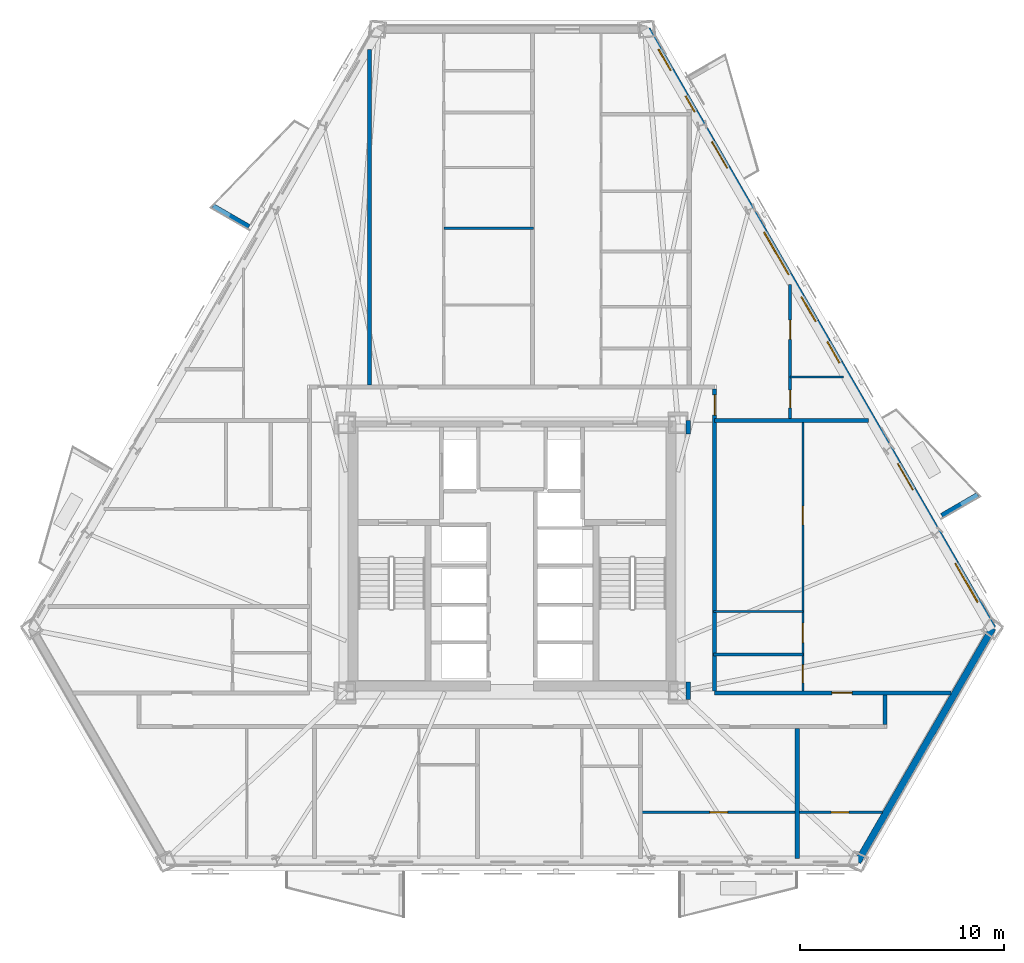
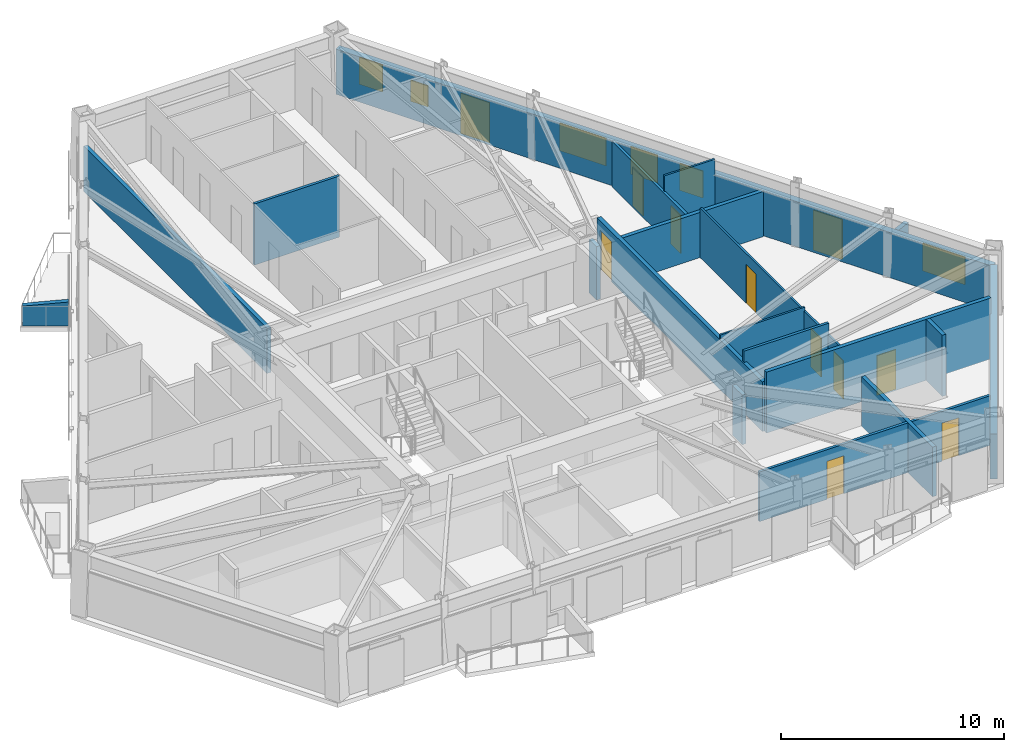
# One storey, part 5 of 10: 19 walls, 11 doors, 6 windows, 17 openings.
"""IFC4 building model written with IfcOpenShell, lengths in metres."""

from ifc_helpers import new_model, si_unit, direction, frame, frame_2d, origin, place, context, subcontext, project, spatial, polyline, rectangle, outline, extrude, material, layer, layer_set, type_object, element, fill, save


model = new_model("IFC4")

# Units and contexts
model_context = context("Model", 3, precision=1e-05, world=origin(), true_north=direction((0.0, 1.0)))
body_context = subcontext(model_context, "Body", "Model", "MODEL_VIEW")
ifc_project = project(units=[si_unit("LENGTHUNIT", "METRE"), si_unit("AREAUNIT", "SQUARE_METRE"), si_unit("VOLUMEUNIT", "CUBIC_METRE"), si_unit("PLANEANGLEUNIT", "RADIAN"), si_unit("MASSUNIT", "GRAM", prefix="KILO")], contexts=[model_context])

# Site, building, storey
site_placement = place(None, origin())
site = spatial("IfcSite", under=ifc_project, at=site_placement, CompositionType="ELEMENT")
building_placement = place(site_placement, origin())
building = spatial("IfcBuilding", under=site, at=building_placement, Name="Oramaril Tower", CompositionType="ELEMENT")
storey_placement = place(building_placement, frame((0.0, 0.0, 74.10009765625)))
storey = spatial("IfcBuildingStorey", under=building, at=storey_placement, Name="L19", CompositionType="ELEMENT", Elevation=74.10009765625)

# Wall
ifc_material_1 = material(Name="Warm Cream Limestone", Category="masonry")
ifc_layer_1 = layer(ifc_material_1, 0.340087890625)
ifc_layer_set_1 = layer_set([ifc_layer_1], Name="WT-EXT34")
wall_type_1 = type_object("IfcWallType", Name="WT-EXT34", PredefinedType="SOLIDWALL", material=ifc_layer_set_1)
wall_1_placement = place(storey_placement, frame((54.468994140625, 2.654296875, 0.0), z_axis=(0.0, 0.0, 1.0), x_axis=(0.499994178302, 0.866028764917, 0.0)))
element("IfcWall", 1, at=wall_1_placement, inside=storey, type_object=wall_type_1, Name="L19 Tower Limestone Facade Wall 3M", PredefinedType="SOLIDWALL", context=body_context, shape_type="SweptSolid", body=[
    extrude(rectangle(XDim=13.247802734375, YDim=0.340087890625, at=frame_2d((6.6240234375, 0.0))), origin(), (0.0, 0.0, 1.0), 2.473876953125),
])

# Wall, openings, doors, windows
wall_2_placement = place(storey_placement, frame((61.0927734375, 14.127197265625, 0.0), z_axis=(0.0, 0.0, 1.0), x_axis=(-0.500000596145, 0.8660250596, 0.0)))
wall_2 = element("IfcWall", 2, at=wall_2_placement, inside=storey, type_object=wall_type_1, Name="L19 Tower Limestone Facade Wall 4M", PredefinedType="SOLIDWALL", context=body_context, shape_type="SweptSolid", body=[
    extrude(rectangle(XDim=33.93798828125, YDim=0.340087890625, at=frame_2d((16.968994140625, 0.0))), origin(), (0.0, 0.0, 1.0), 2.473876953125),
])
opening_1_placement = place(wall_2_placement, frame((7.824462890625, 0.0, 0.0)))
opening_1 = element("IfcOpeningElement", 3, at=opening_1_placement, cuts=wall_2, Name="Opening D-L19-BAL-NE1", PredefinedType="OPENING", context=body_context, shape_type="SweptSolid", body=[
    extrude(rectangle(XDim=1.5, YDim=2.199951171875, at=frame_2d((0.75, 1.10009765625))), frame((0.0, 0.169921875, 0.0), z_axis=(0.0, -1.0, 0.0), x_axis=(1.0, 0.0, 0.0)), (0.0, 0.0, 1.0), 0.340087890625),
])
opening_2_placement = place(wall_2_placement, frame((26.068603515625, 0.0, 0.0)))
opening_2 = element("IfcOpeningElement", 4, at=opening_2_placement, cuts=wall_2, Name="Opening D-L19-BAL-NE2", PredefinedType="OPENING", context=body_context, shape_type="SweptSolid", body=[
    extrude(rectangle(XDim=1.5, YDim=2.199951171875, at=frame_2d((0.75, 1.10009765625))), frame((0.0, 0.169921875, 0.0), z_axis=(0.0, -1.0, 0.0), x_axis=(1.0, 0.0, 0.0)), (0.0, 0.0, 1.0), 0.340087890625),
])
opening_3_placement = place(wall_2_placement, frame((1.47021484375, 0.0, 0.85009765625)))
opening_3 = element("IfcOpeningElement", 5, at=opening_3_placement, cuts=wall_2, Name="Opening WN-04", PredefinedType="OPENING", context=body_context, shape_type="SweptSolid", body=[
    extrude(rectangle(XDim=2.199951171875, YDim=1.513916015625, at=frame_2d((1.10009765625, 0.7568359375))), frame((0.0, 0.169921875, 0.0), z_axis=(0.0, -1.0, 0.0), x_axis=(1.0, 0.0, 0.0)), (0.0, 0.0, 1.0), 0.340087890625),
])
opening_4_placement = place(wall_2_placement, frame((31.60791015625, 0.0, 0.85009765625)))
opening_4 = element("IfcOpeningElement", 6, at=opening_4_placement, cuts=wall_2, Name="Opening WN-09", PredefinedType="OPENING", context=body_context, shape_type="SweptSolid", body=[
    extrude(rectangle(XDim=1.199951171875, YDim=1.47412109375, at=frame_2d((0.60009765625, 0.737060546875))), frame((0.0, 0.169921875, 0.0), z_axis=(0.0, -1.0, 0.0), x_axis=(1.0, 0.0, 0.0)), (0.0, 0.0, 1.0), 0.340087890625),
])
opening_5_placement = place(wall_2_placement, frame((20.037841796875, 0.0, 0.85009765625)))
opening_5 = element("IfcOpeningElement", 7, at=opening_5_placement, cuts=wall_2, Name="Opening WN-03", PredefinedType="OPENING", context=body_context, shape_type="SweptSolid", body=[
    extrude(rectangle(XDim=2.39990234375, YDim=1.513916015625, at=frame_2d((1.199951171875, 0.7568359375))), frame((0.0, 0.169921875, 0.0), z_axis=(0.0, -1.0, 0.0), x_axis=(1.0, 0.0, 0.0)), (0.0, 0.0, 1.0), 0.340087890625),
])
opening_6_placement = place(wall_2_placement, frame((15.0341796875, 0.0, 0.85009765625)))
opening_6 = element("IfcOpeningElement", 8, at=opening_6_placement, cuts=wall_2, Name="Opening WN-09", PredefinedType="OPENING", context=body_context, shape_type="SweptSolid", body=[
    extrude(rectangle(XDim=1.199951171875, YDim=1.47412109375, at=frame_2d((0.60009765625, 0.737060546875))), frame((0.0, 0.169921875, 0.0), z_axis=(0.0, -1.0, 0.0), x_axis=(1.0, 0.0, 0.0)), (0.0, 0.0, 1.0), 0.340087890625),
])
opening_7_placement = place(wall_2_placement, frame((17.375244140625, 0.0, 0.85009765625)))
opening_7 = element("IfcOpeningElement", 9, at=opening_7_placement, cuts=wall_2, Name="Opening WN-08", PredefinedType="OPENING", context=body_context, shape_type="SweptSolid", body=[
    extrude(rectangle(XDim=1.39990234375, YDim=1.513916015625, at=frame_2d((0.699951171875, 0.7568359375))), frame((0.0, 0.169921875, 0.0), z_axis=(0.0, -1.0, 0.0), x_axis=(1.0, 0.0, 0.0)), (0.0, 0.0, 1.0), 0.340087890625),
])
opening_8_placement = place(wall_2_placement, frame((29.2548828125, 0.0, 0.85009765625)))
opening_8 = element("IfcOpeningElement", 10, at=opening_8_placement, cuts=wall_2, Name="Opening WN-12", PredefinedType="OPENING", context=body_context, shape_type="SweptSolid", body=[
    extrude(rectangle(XDim=0.89990234375, YDim=1.14990234375, at=frame_2d((0.449951171875, 0.574951171875))), frame((0.0, 0.169921875, 0.0), z_axis=(0.0, -1.0, 0.0), x_axis=(1.0, 0.0, 0.0)), (0.0, 0.0, 1.0), 0.340087890625),
])
ifc_material_2 = material(Name="Anodised Aluminium 6063-T6", Category="aluminium")
door_type_1 = type_object("IfcDoorType", Name="DT-BAL", OperationType="NOTDEFINED", PredefinedType="DOOR", material=ifc_material_2)
door_1_placement = place(opening_1_placement, origin())
door_1 = element("IfcDoor", 11, at=door_1_placement, inside=storey, type_object=door_type_1, Name="L19 Balcony Glazed Door L19-BAL-NE1", OperationType="SINGLE_SWING_RIGHT", OverallHeight=2.199951171875, OverallWidth=1.5, PredefinedType="DOOR", context=body_context, shape_type="SweptSolid", body=[
    extrude(rectangle(XDim=1.5, YDim=2.199951171875, at=frame_2d((0.75, 1.10009765625))), frame((0.0, 0.02490234375, 0.0), z_axis=(0.0, -1.0, 0.0), x_axis=(1.0, 0.0, 0.0)), (0.0, 0.0, 1.0), 0.050048828125),
])
fill(opening_1, door_1)
door_2_placement = place(opening_2_placement, origin())
door_2 = element("IfcDoor", 12, at=door_2_placement, inside=storey, type_object=door_type_1, Name="L19 Balcony Glazed Door L19-BAL-NE2", OperationType="SINGLE_SWING_LEFT", OverallHeight=2.199951171875, OverallWidth=1.5, PredefinedType="DOOR", context=body_context, shape_type="SweptSolid", body=[
    extrude(rectangle(XDim=1.5, YDim=2.199951171875, at=frame_2d((0.75, 1.10009765625))), frame((0.0, 0.02490234375, 0.0), z_axis=(0.0, -1.0, 0.0), x_axis=(1.0, 0.0, 0.0)), (0.0, 0.0, 1.0), 0.050048828125),
])
fill(opening_2, door_2)
ifc_material_3 = material(Name="Coastal Low-E Insulated Glass", Category="glass")
window_type_1 = type_object("IfcWindowType", Name="WNT-03", PartitioningType="SINGLE_PANEL", PredefinedType="WINDOW", material=ifc_material_3)
window_1_placement = place(opening_5_placement, origin())
window_1 = element("IfcWindow", 13, at=window_1_placement, inside=storey, type_object=window_type_1, Name="L19 Chicago Bay Window WN-03", OverallHeight=1.513916015625, OverallWidth=2.39990234375, PartitioningType="SINGLE_PANEL", PredefinedType="WINDOW", context=body_context, shape_type="SweptSolid", body=[
    extrude(rectangle(XDim=2.39990234375, YDim=1.513916015625, at=frame_2d((1.199951171875, 0.7568359375))), frame((0.0, 0.030029296875, 0.0), z_axis=(0.0, -1.0, 0.0), x_axis=(1.0, 0.0, 0.0)), (0.0, 0.0, 1.0), 0.06005859375),
])
fill(opening_5, window_1)
ifc_material_4 = material(Name="Coastal Low-E Insulated Glass", Category="glass")
window_type_2 = type_object("IfcWindowType", Name="WNT-04", PartitioningType="SINGLE_PANEL", PredefinedType="WINDOW", material=ifc_material_4)
window_2_placement = place(opening_3_placement, origin())
window_2 = element("IfcWindow", 14, at=window_2_placement, inside=storey, type_object=window_type_2, Name="L19 Chicago Bay Window WN-04", OverallHeight=1.513916015625, OverallWidth=2.199951171875, PartitioningType="SINGLE_PANEL", PredefinedType="WINDOW", context=body_context, shape_type="SweptSolid", body=[
    extrude(rectangle(XDim=2.199951171875, YDim=1.513916015625, at=frame_2d((1.10009765625, 0.7568359375))), frame((0.0, 0.030029296875, 0.0), z_axis=(0.0, -1.0, 0.0), x_axis=(1.0, 0.0, 0.0)), (0.0, 0.0, 1.0), 0.06005859375),
])
fill(opening_3, window_2)
ifc_material_5 = material(Name="Coastal Low-E Insulated Glass", Category="glass")
window_type_3 = type_object("IfcWindowType", Name="WNT-08", PartitioningType="SINGLE_PANEL", PredefinedType="WINDOW", material=ifc_material_5)
window_3_placement = place(opening_7_placement, origin())
window_3 = element("IfcWindow", 15, at=window_3_placement, inside=storey, type_object=window_type_3, Name="L19 Chicago Bay Window WN-08", OverallHeight=1.513916015625, OverallWidth=1.39990234375, PartitioningType="SINGLE_PANEL", PredefinedType="WINDOW", context=body_context, shape_type="SweptSolid", body=[
    extrude(rectangle(XDim=1.39990234375, YDim=1.513916015625, at=frame_2d((0.699951171875, 0.7568359375))), frame((0.0, 0.030029296875, 0.0), z_axis=(0.0, -1.0, 0.0), x_axis=(1.0, 0.0, 0.0)), (0.0, 0.0, 1.0), 0.06005859375),
])
fill(opening_7, window_3)
ifc_material_6 = material(Name="Coastal Low-E Insulated Glass", Category="glass")
window_type_4 = type_object("IfcWindowType", Name="WNT-09", PartitioningType="SINGLE_PANEL", PredefinedType="WINDOW", material=ifc_material_6)
window_4_placement = place(opening_4_placement, origin())
window_4 = element("IfcWindow", 16, at=window_4_placement, inside=storey, type_object=window_type_4, Name="L19 Chicago Bay Window WN-09", OverallHeight=1.47412109375, OverallWidth=1.199951171875, PartitioningType="SINGLE_PANEL", PredefinedType="WINDOW", context=body_context, shape_type="SweptSolid", body=[
    extrude(rectangle(XDim=1.199951171875, YDim=1.47412109375, at=frame_2d((0.60009765625, 0.737060546875))), frame((0.0, 0.030029296875, 0.0), z_axis=(0.0, -1.0, 0.0), x_axis=(1.0, 0.0, 0.0)), (0.0, 0.0, 1.0), 0.06005859375),
])
fill(opening_4, window_4)
window_5_placement = place(opening_6_placement, origin())
window_5 = element("IfcWindow", 17, at=window_5_placement, inside=storey, type_object=window_type_4, Name="L19 Chicago Bay Window WN-09", OverallHeight=1.47412109375, OverallWidth=1.199951171875, PartitioningType="SINGLE_PANEL", PredefinedType="WINDOW", context=body_context, shape_type="SweptSolid", body=[
    extrude(rectangle(XDim=1.199951171875, YDim=1.47412109375, at=frame_2d((0.60009765625, 0.737060546875))), frame((0.0, 0.030029296875, 0.0), z_axis=(0.0, -1.0, 0.0), x_axis=(1.0, 0.0, 0.0)), (0.0, 0.0, 1.0), 0.06005859375),
])
fill(opening_6, window_5)
ifc_material_7 = material(Name="Coastal Low-E Insulated Glass", Category="glass")
window_type_5 = type_object("IfcWindowType", Name="WNT-12", PartitioningType="SINGLE_PANEL", PredefinedType="WINDOW", material=ifc_material_7)
window_6_placement = place(opening_8_placement, origin())
window_6 = element("IfcWindow", 18, at=window_6_placement, inside=storey, type_object=window_type_5, Name="L19 Apartment Bedroom Window WN-12", OverallHeight=1.14990234375, OverallWidth=0.89990234375, PartitioningType="SINGLE_PANEL", PredefinedType="WINDOW", context=body_context, shape_type="SweptSolid", body=[
    extrude(rectangle(XDim=0.89990234375, YDim=1.14990234375, at=frame_2d((0.449951171875, 0.574951171875))), frame((0.0, 0.030029296875, 0.0), z_axis=(0.0, -1.0, 0.0), x_axis=(1.0, 0.0, 0.0)), (0.0, 0.0, 1.0), 0.06005859375),
])
fill(opening_8, window_6)

# Walls
ifc_material_8 = material(Name="Concrete C40/50", Category="concrete")
ifc_layer_2 = layer(ifc_material_8, 0.22998046875)
ifc_layer_set_2 = layer_set([ifc_layer_2], Name="WT-PRP23")
wall_type_2 = type_object("IfcWallType", Name="WT-PRP23", PredefinedType="PARAPET", material=ifc_layer_set_2)
for number, where, z_axis, x_axis, name in (
    (19, (58.591064453125, 19.656494140625, 0.0), (0.0, 0.0, 1.0), (0.866012356593, 0.500022597718, 0.0), "L19 Trapezoidal Balcony Frame Cheek L19-BAL-NE1-L"),
    (20, (24.593505859375, 33.83251953125, 0.0), (0.0, 0.0, 1.0), (-0.866012356593, 0.500022597718, 0.0), "L19 Trapezoidal Balcony Frame Cheek L19-BAL-NW1-R"),
):
    element("IfcWall", number, at=place(storey_placement, frame(where, z_axis=z_axis, x_axis=x_axis)), inside=storey, type_object=wall_type_2, Name=name, PredefinedType="PARAPET", context=body_context, shape_type="SweptSolid", body=[
        extrude(outline(polyline([(0.0, 0.0), (2.0419921875, 0.0), (2.0419921875, 1.099853515625), (0.0, 1.31982421875), (0.0, 0.0)])), frame((0.0, 0.114990234375, 0.0), z_axis=(0.0, -1.0, 0.0), x_axis=(1.0, 0.0, 0.0)), (0.0, 0.0, 1.0), 0.22998046875),
    ])
ifc_material_9 = material(Name="Acoustic Gypsum Board Partition")
ifc_layer_3 = layer(ifc_material_9, 0.10009765625)
ifc_layer_set_3 = layer_set([ifc_layer_3], Name="WT-PT10")
wall_type_3 = type_object("IfcWallType", Name="WT-PT10", PredefinedType="PARTITIONING", material=ifc_layer_set_3)
wall_3_placement = place(storey_placement, frame((47.39990234375, 14.949951171875, 0.0), z_axis=(0.0, 0.0, 1.0), x_axis=(1.0, 0.0, 0.0)))
element("IfcWall", 21, at=wall_3_placement, inside=storey, type_object=wall_type_3, Name="L19 Interior Partition PT-10", PredefinedType="PARTITIONING", context=body_context, shape_type="SweptSolid", body=[
    extrude(rectangle(XDim=4.380126953125, YDim=0.10009765625, at=frame_2d((2.18994140625, 0.0))), origin(), (0.0, 0.0, 1.0), 2.92578125),
])
wall_4_placement = place(storey_placement, frame((51.1474609375, 26.4599609375, 0.0), z_axis=(0.0, 0.0, 1.0), x_axis=(1.0, 0.0, 0.0)))
element("IfcWall", 22, at=wall_4_placement, inside=storey, type_object=wall_type_3, Name="L19 Interior Partition PT-10", PredefinedType="PARTITIONING", context=body_context, shape_type="SweptSolid", body=[
    extrude(rectangle(XDim=2.6240234375, YDim=0.10009765625, at=frame_2d((1.31201171875, 0.0))), origin(), (0.0, 0.0, 1.0), 3.33984375),
])

# Wall, openings, doors
wall_5_placement = place(storey_placement, frame((51.780029296875, 11.053955078125, 0.0), z_axis=(0.0, 0.0, 1.0), x_axis=(0.0, 1.0, 0.0)))
wall_5 = element("IfcWall", 23, at=wall_5_placement, inside=storey, type_object=wall_type_3, Name="L19 Interior Partition PT-10", PredefinedType="PARTITIONING", context=body_context, shape_type="SweptSolid", body=[
    extrude(rectangle(XDim=13.162109375, YDim=0.10009765625, at=frame_2d((6.5810546875, 0.0))), origin(), (0.0, 0.0, 1.0), 2.718017578125),
])
opening_9_placement = place(wall_5_placement, frame((0.385986328125, 0.0, 0.0)))
opening_9 = element("IfcOpeningElement", 24, at=opening_9_placement, cuts=wall_5, Name="Opening D-L19-41", PredefinedType="OPENING", context=body_context, shape_type="SweptSolid", body=[
    extrude(rectangle(XDim=0.8798828125, YDim=2.080078125, at=frame_2d((0.43994140625, 1.0400390625))), frame((0.0, 0.050048828125, 0.0), z_axis=(0.0, -1.0, 0.0), x_axis=(1.0, 0.0, 0.0)), (0.0, 0.0, 1.0), 0.10009765625),
])
opening_10_placement = place(wall_5_placement, frame((2.36767578125, 0.0, 0.0)))
opening_10 = element("IfcOpeningElement", 25, at=opening_10_placement, cuts=wall_5, Name="Opening D-L19-42", PredefinedType="OPENING", context=body_context, shape_type="SweptSolid", body=[
    extrude(rectangle(XDim=0.949951171875, YDim=2.10009765625, at=frame_2d((0.47509765625, 1.050048828125))), frame((0.0, 0.050048828125, 0.0), z_axis=(0.0, -1.0, 0.0), x_axis=(1.0, 0.0, 0.0)), (0.0, 0.0, 1.0), 0.10009765625),
])
opening_11_placement = place(wall_5_placement, frame((8.1376953125, 0.0, 0.0)))
opening_11 = element("IfcOpeningElement", 26, at=opening_11_placement, cuts=wall_5, Name="Opening D-L19-43", PredefinedType="OPENING", context=body_context, shape_type="SweptSolid", body=[
    extrude(rectangle(XDim=0.919921875, YDim=2.1201171875, at=frame_2d((0.4599609375, 1.06005859375))), frame((0.0, 0.050048828125, 0.0), z_axis=(0.0, -1.0, 0.0), x_axis=(1.0, 0.0, 0.0)), (0.0, 0.0, 1.0), 0.10009765625),
])
ifc_material_10 = material(Name="FSC Brazilian Freijo Hardwood", Category="wood")
door_type_2 = type_object("IfcDoorType", Name="DT-BATH", OperationType="NOTDEFINED", PredefinedType="DOOR", material=ifc_material_10)
door_3_placement = place(opening_9_placement, origin())
door_3 = element("IfcDoor", 27, at=door_3_placement, inside=storey, type_object=door_type_2, Name="L19 Flat L19-U8 Bathroom Door D-L19-41", OperationType="SINGLE_SWING_LEFT", OverallHeight=2.080078125, OverallWidth=0.8798828125, PredefinedType="DOOR", context=body_context, shape_type="SweptSolid", body=[
    extrude(rectangle(XDim=0.8798828125, YDim=2.080078125, at=frame_2d((0.43994140625, 1.0400390625))), frame((0.0, 0.02490234375, 0.0), z_axis=(0.0, -1.0, 0.0), x_axis=(1.0, 0.0, 0.0)), (0.0, 0.0, 1.0), 0.050048828125),
])
fill(opening_9, door_3)
ifc_material_11 = material(Name="FSC Brazilian Freijo Hardwood", Category="wood")
door_type_3 = type_object("IfcDoorType", Name="DT-BED", OperationType="NOTDEFINED", PredefinedType="DOOR", material=ifc_material_11)
door_4_placement = place(opening_11_placement, origin())
door_4 = element("IfcDoor", 28, at=door_4_placement, inside=storey, type_object=door_type_3, Name="L19 Flat L19-U8 Master Bedroom Door D-L19-43", OperationType="SINGLE_SWING_LEFT", OverallHeight=2.1201171875, OverallWidth=0.919921875, PredefinedType="DOOR", context=body_context, shape_type="SweptSolid", body=[
    extrude(rectangle(XDim=0.919921875, YDim=2.1201171875, at=frame_2d((0.4599609375, 1.06005859375))), frame((0.0, 0.02490234375, 0.0), z_axis=(0.0, -1.0, 0.0), x_axis=(1.0, 0.0, 0.0)), (0.0, 0.0, 1.0), 0.050048828125),
])
fill(opening_11, door_4)
ifc_material_12 = material(Name="FSC Brazilian Freijo Hardwood", Category="wood")
door_type_4 = type_object("IfcDoorType", Name="DT-STDY", OperationType="NOTDEFINED", PredefinedType="DOOR", material=ifc_material_12)
door_5_placement = place(opening_10_placement, origin())
door_5 = element("IfcDoor", 29, at=door_5_placement, inside=storey, type_object=door_type_4, Name="L19 Flat L19-U8 Kitchen Door D-L19-42", OperationType="SINGLE_SWING_RIGHT", OverallHeight=2.10009765625, OverallWidth=0.949951171875, PredefinedType="DOOR", context=body_context, shape_type="SweptSolid", body=[
    extrude(rectangle(XDim=0.949951171875, YDim=2.10009765625, at=frame_2d((0.47509765625, 1.050048828125))), frame((0.0, 0.02490234375, 0.0), z_axis=(0.0, -1.0, 0.0), x_axis=(1.0, 0.0, 0.0)), (0.0, 0.0, 1.0), 0.050048828125),
])
fill(opening_10, door_5)

ifc_material_13 = material(Name="Acoustic Gypsum Board Partition")
ifc_layer_4 = layer(ifc_material_13, 0.139892578125)
ifc_layer_set_4 = layer_set([ifc_layer_4], Name="WT-PT14")
wall_type_4 = type_object("IfcWallType", Name="WT-PT14", PredefinedType="PARTITIONING", material=ifc_layer_set_4)
wall_6_placement = place(storey_placement, frame((43.718017578125, 5.090087890625, 0.0), z_axis=(0.0, 0.0, 1.0), x_axis=(1.0, 0.0, 0.0)))
wall_6 = element("IfcWall", 30, at=wall_6_placement, inside=storey, type_object=wall_type_4, Name="L19 Interior Partition PT-14", PredefinedType="PARTITIONING", context=body_context, shape_type="SweptSolid", body=[
    extrude(rectangle(XDim=11.956298828125, YDim=0.139892578125, at=frame_2d((5.97802734375, 0.0))), origin(), (0.0, 0.0, 1.0), 2.718017578125),
])
opening_12_placement = place(wall_6_placement, frame((3.491943359375, 0.0, 0.0)))
opening_12 = element("IfcOpeningElement", 31, at=opening_12_placement, cuts=wall_6, Name="Opening D-L19-01", PredefinedType="OPENING", context=body_context, shape_type="SweptSolid", body=[
    extrude(rectangle(XDim=0.8798828125, YDim=2.080078125, at=frame_2d((0.43994140625, 1.0400390625))), frame((0.0, 0.06982421875, 0.0), z_axis=(0.0, -1.0, 0.0), x_axis=(1.0, 0.0, 0.0)), (0.0, 0.0, 1.0), 0.139892578125),
])
opening_13_placement = place(wall_6_placement, frame((9.4423828125, 0.0, 0.0)))
opening_13 = element("IfcOpeningElement", 32, at=opening_13_placement, cuts=wall_6, Name="Opening D-L19-02", PredefinedType="OPENING", context=body_context, shape_type="SweptSolid", body=[
    extrude(rectangle(XDim=0.8798828125, YDim=2.080078125, at=frame_2d((0.43994140625, 1.0400390625))), frame((0.0, 0.06982421875, 0.0), z_axis=(0.0, -1.0, 0.0), x_axis=(1.0, 0.0, 0.0)), (0.0, 0.0, 1.0), 0.139892578125),
])
door_6_placement = place(opening_12_placement, origin())
door_6 = element("IfcDoor", 33, at=door_6_placement, inside=storey, type_object=door_type_2, Name="L19 Flat L19-U4 Bathroom Door D-L19-01", OperationType="SINGLE_SWING_LEFT", OverallHeight=2.080078125, OverallWidth=0.8798828125, PredefinedType="DOOR", context=body_context, shape_type="SweptSolid", body=[
    extrude(rectangle(XDim=0.8798828125, YDim=2.080078125, at=frame_2d((0.43994140625, 1.0400390625))), frame((0.0, 0.02490234375, 0.0), z_axis=(0.0, -1.0, 0.0), x_axis=(1.0, 0.0, 0.0)), (0.0, 0.0, 1.0), 0.050048828125),
])
fill(opening_12, door_6)
door_7_placement = place(opening_13_placement, origin())
door_7 = element("IfcDoor", 34, at=door_7_placement, inside=storey, type_object=door_type_2, Name="L19 Flat L19-U5 Bathroom Door D-L19-02", OperationType="SINGLE_SWING_RIGHT", OverallHeight=2.080078125, OverallWidth=0.8798828125, PredefinedType="DOOR", context=body_context, shape_type="SweptSolid", body=[
    extrude(rectangle(XDim=0.8798828125, YDim=2.080078125, at=frame_2d((0.43994140625, 1.0400390625))), frame((0.0, 0.02490234375, 0.0), z_axis=(0.0, -1.0, 0.0), x_axis=(1.0, 0.0, 0.0)), (0.0, 0.0, 1.0), 0.050048828125),
])
fill(opening_13, door_7)

# Walls
wall_7_placement = place(storey_placement, frame((47.39990234375, 12.840087890625, 0.0), z_axis=(0.0, 0.0, 1.0), x_axis=(1.0, 0.0, 0.0)))
element("IfcWall", 35, at=wall_7_placement, inside=storey, type_object=wall_type_4, Name="L19 Interior Partition PT-14", PredefinedType="PARTITIONING", context=body_context, shape_type="SweptSolid", body=[
    extrude(rectangle(XDim=4.380126953125, YDim=0.139892578125, at=frame_2d((2.18994140625, 0.0))), origin(), (0.0, 0.0, 1.0), 3.33984375),
])
wall_8_placement = place(storey_placement, frame((34.14990234375, 33.760009765625, 0.0), z_axis=(0.0, 0.0, 1.0), x_axis=(1.0, 0.0, 0.0)))
element("IfcWall", 36, at=wall_8_placement, inside=storey, type_object=wall_type_4, Name="L19 Interior Partition PT-14", PredefinedType="PARTITIONING", context=body_context, shape_type="SweptSolid", body=[
    extrude(rectangle(XDim=4.400146484375, YDim=0.139892578125, at=frame_2d((2.2001953125, 0.0))), origin(), (0.0, 0.0, 1.0), 3.33984375),
])

# Wall, openings, doors
wall_9_placement = place(storey_placement, frame((51.14990234375, 24.424072265625, 0.0), z_axis=(0.0, 0.0, 1.0), x_axis=(0.0, 1.0, 0.0)))
wall_9 = element("IfcWall", 37, at=wall_9_placement, inside=storey, type_object=wall_type_4, Name="L19 Interior Partition PT-14", PredefinedType="PARTITIONING", context=body_context, shape_type="SweptSolid", body=[
    extrude(rectangle(XDim=6.57666015625, YDim=0.139892578125, at=frame_2d((3.288330078125, 0.0))), origin(), (0.0, 0.0, 1.0), 2.473876953125),
])
opening_14_placement = place(wall_9_placement, frame((0.510986328125, 0.0, 0.0)))
opening_14 = element("IfcOpeningElement", 38, at=opening_14_placement, cuts=wall_9, Name="Opening D-L19-39", PredefinedType="OPENING", context=body_context, shape_type="SweptSolid", body=[
    extrude(rectangle(XDim=0.8798828125, YDim=2.080078125, at=frame_2d((0.43994140625, 1.0400390625))), frame((0.0, 0.06982421875, 0.0), z_axis=(0.0, -1.0, 0.0), x_axis=(1.0, 0.0, 0.0)), (0.0, 0.0, 1.0), 0.139892578125),
])
opening_15_placement = place(wall_9_placement, frame((3.87255859375, 0.0, 0.0)))
opening_15 = element("IfcOpeningElement", 39, at=opening_15_placement, cuts=wall_9, Name="Opening D-L19-40", PredefinedType="OPENING", context=body_context, shape_type="SweptSolid", body=[
    extrude(rectangle(XDim=0.949951171875, YDim=2.10009765625, at=frame_2d((0.47509765625, 1.050048828125))), frame((0.0, 0.06982421875, 0.0), z_axis=(0.0, -1.0, 0.0), x_axis=(1.0, 0.0, 0.0)), (0.0, 0.0, 1.0), 0.139892578125),
])
door_8_placement = place(opening_14_placement, origin())
door_8 = element("IfcDoor", 40, at=door_8_placement, inside=storey, type_object=door_type_2, Name="L19 Flat L19-U12 Bathroom Door D-L19-39", OperationType="SINGLE_SWING_LEFT", OverallHeight=2.080078125, OverallWidth=0.8798828125, PredefinedType="DOOR", context=body_context, shape_type="SweptSolid", body=[
    extrude(rectangle(XDim=0.8798828125, YDim=2.080078125, at=frame_2d((0.43994140625, 1.0400390625))), frame((0.0, 0.02490234375, 0.0), z_axis=(0.0, -1.0, 0.0), x_axis=(1.0, 0.0, 0.0)), (0.0, 0.0, 1.0), 0.050048828125),
])
fill(opening_14, door_8)
door_9_placement = place(opening_15_placement, origin())
door_9 = element("IfcDoor", 41, at=door_9_placement, inside=storey, type_object=door_type_4, Name="L19 Flat L19-U12 Kitchen Door D-L19-40", OperationType="SINGLE_SWING_RIGHT", OverallHeight=2.10009765625, OverallWidth=0.949951171875, PredefinedType="DOOR", context=body_context, shape_type="SweptSolid", body=[
    extrude(rectangle(XDim=0.949951171875, YDim=2.10009765625, at=frame_2d((0.47509765625, 1.050048828125))), frame((0.0, 0.02490234375, 0.0), z_axis=(0.0, -1.0, 0.0), x_axis=(1.0, 0.0, 0.0)), (0.0, 0.0, 1.0), 0.050048828125),
])
fill(opening_15, door_9)

# Wall, opening, door
ifc_material_14 = material(Name="Autoclaved Cellular Concrete Block", Category="concrete")
ifc_layer_5 = layer(ifc_material_14, 0.199951171875)
ifc_layer_set_5 = layer_set([ifc_layer_5], Name="WT-PT20")
wall_type_5 = type_object("IfcWallType", Name="WT-PT20", PredefinedType="PARTITIONING", material=ifc_layer_set_5)
wall_10_placement = place(storey_placement, frame((47.449951171875, 10.949951171875, 0.0), z_axis=(0.0, 0.0, 1.0), x_axis=(1.0, 0.0, 0.0)))
wall_10 = element("IfcWall", 42, at=wall_10_placement, inside=storey, type_object=wall_type_5, Name="L19 Interior Partition PT-20", PredefinedType="PARTITIONING", context=body_context, shape_type="SweptSolid", body=[
    extrude(rectangle(XDim=11.607666015625, YDim=0.199951171875, at=frame_2d((5.8037109375, 0.0))), origin(), (0.0, 0.0, 1.0), 3.33984375),
])
opening_16_placement = place(wall_10_placement, frame((5.745849609375, 0.0, 0.0)))
opening_16 = element("IfcOpeningElement", 43, at=opening_16_placement, cuts=wall_10, Name="Opening D-L19-09", PredefinedType="OPENING", context=body_context, shape_type="SweptSolid", body=[
    extrude(rectangle(XDim=1.0, YDim=2.179931640625, at=frame_2d((0.5, 1.08984375))), frame((0.0, 0.10009765625, 0.0), z_axis=(0.0, -1.0, 0.0), x_axis=(1.0, 0.0, 0.0)), (0.0, 0.0, 1.0), 0.199951171875),
])
ifc_material_15 = material(Name="FSC Brazilian Freijo Hardwood", Category="wood")
door_type_5 = type_object("IfcDoorType", Name="DT-APT", OperationType="NOTDEFINED", PredefinedType="DOOR", material=ifc_material_15)
door_10_placement = place(opening_16_placement, origin())
door_10 = element("IfcDoor", 44, at=door_10_placement, inside=storey, type_object=door_type_5, Name="L19 Flat L19-U8 Penthouse Living and Dining Room Door D-L19-09", OperationType="SINGLE_SWING_LEFT", OverallHeight=2.179931640625, OverallWidth=1.0, PredefinedType="DOOR", context=body_context, shape_type="SweptSolid", body=[
    extrude(rectangle(XDim=1.0, YDim=2.179931640625, at=frame_2d((0.5, 1.08984375))), frame((0.0, 0.02490234375, 0.0), z_axis=(0.0, -1.0, 0.0), x_axis=(1.0, 0.0, 0.0)), (0.0, 0.0, 1.0), 0.050048828125),
])
fill(opening_16, door_10)

# Walls
wall_11_placement = place(storey_placement, frame((47.449951171875, 24.320068359375, 0.0), z_axis=(0.0, 0.0, 1.0), x_axis=(1.0, 0.0, 0.0)))
element("IfcWall", 45, at=wall_11_placement, inside=storey, type_object=wall_type_5, Name="L19 Interior Partition PT-20", PredefinedType="PARTITIONING", context=body_context, shape_type="SweptSolid", body=[
    extrude(rectangle(XDim=7.55712890625, YDim=0.199951171875, at=frame_2d((3.778564453125, 0.0))), origin(), (0.0, 0.0, 1.0), 2.473876953125),
])
wall_12_placement = place(storey_placement, frame((30.5, 26.073974609375, 0.0), z_axis=(0.0, 0.0, 1.0), x_axis=(0.0, 1.0, 0.0)))
element("IfcWall", 46, at=wall_12_placement, inside=storey, type_object=wall_type_5, Name="L19 Interior Partition PT-20", PredefinedType="PARTITIONING", context=body_context, shape_type="SweptSolid", body=[
    extrude(rectangle(XDim=16.44482421875, YDim=0.199951171875, at=frame_2d((8.222412109375, 0.0))), origin(), (0.0, 0.0, 1.0), 2.473876953125),
])
wall_13_placement = place(storey_placement, frame((46.14990234375, 10.614013671875, 0.0), z_axis=(0.0, 0.0, 1.0), x_axis=(0.0, 1.0, 0.0)))
element("IfcWall", 47, at=wall_13_placement, inside=storey, type_object=wall_type_5, Name="L19 Interior Partition PT-20", PredefinedType="PARTITIONING", context=body_context, shape_type="SweptSolid", body=[
    extrude(rectangle(XDim=0.881103515625, YDim=0.199951171875, at=frame_2d((0.4404296875, 0.0))), origin(), (0.0, 0.0, 1.0), 2.718017578125),
])
wall_14_placement = place(storey_placement, frame((46.14990234375, 23.655029296875, 0.0), z_axis=(0.0, 0.0, 1.0), x_axis=(0.0, 1.0, 0.0)))
element("IfcWall", 48, at=wall_14_placement, inside=storey, type_object=wall_type_5, Name="L19 Interior Partition PT-20", PredefinedType="PARTITIONING", context=body_context, shape_type="SweptSolid", body=[
    extrude(rectangle(XDim=0.6650390625, YDim=0.199951171875, at=frame_2d((0.33251953125, 0.0))), origin(), (0.0, 0.0, 1.0), 2.92578125),
])

# Wall, opening, door
wall_15_placement = place(storey_placement, frame((47.449951171875, 11.053955078125, 0.0), z_axis=(0.0, 0.0, 1.0), x_axis=(0.0, 1.0, 0.0)))
wall_15 = element("IfcWall", 49, at=wall_15_placement, inside=storey, type_object=wall_type_5, Name="L19 Interior Partition PT-20", PredefinedType="PARTITIONING", context=body_context, shape_type="SweptSolid", body=[
    extrude(rectangle(XDim=14.81201171875, YDim=0.199951171875, at=frame_2d((7.406005859375, 0.0))), origin(), (0.0, 0.0, 1.0), 2.718017578125),
])
opening_17_placement = place(wall_15_placement, frame((13.529296875, 0.0, 0.0)))
opening_17 = element("IfcOpeningElement", 50, at=opening_17_placement, cuts=wall_15, Name="Opening D-L19-38", PredefinedType="OPENING", context=body_context, shape_type="SweptSolid", body=[
    extrude(rectangle(XDim=1.0, YDim=2.179931640625, at=frame_2d((0.5, 1.08984375))), frame((0.0, 0.10009765625, 0.0), z_axis=(0.0, -1.0, 0.0), x_axis=(1.0, 0.0, 0.0)), (0.0, 0.0, 1.0), 0.199951171875),
])
door_11_placement = place(opening_17_placement, origin())
door_11 = element("IfcDoor", 51, at=door_11_placement, inside=storey, type_object=door_type_5, Name="L19 Flat L19-U12 Studio Apartment Door D-L19-38", OperationType="SINGLE_SWING_RIGHT", OverallHeight=2.179931640625, OverallWidth=1.0, PredefinedType="DOOR", context=body_context, shape_type="SweptSolid", body=[
    extrude(rectangle(XDim=1.0, YDim=2.179931640625, at=frame_2d((0.5, 1.08984375))), frame((0.0, 0.02490234375, 0.0), z_axis=(0.0, -1.0, 0.0), x_axis=(1.0, 0.0, 0.0)), (0.0, 0.0, 1.0), 0.050048828125),
])
fill(opening_17, door_11)

# Walls
wall_16_placement = place(storey_placement, frame((51.5, 2.828369140625, 0.0), z_axis=(0.0, 0.0, 1.0), x_axis=(0.0, 1.0, 0.0)))
element("IfcWall", 52, at=wall_16_placement, inside=storey, type_object=wall_type_5, Name="L19 Interior Partition PT-20", PredefinedType="PARTITIONING", context=body_context, shape_type="SweptSolid", body=[
    extrude(rectangle(XDim=6.36767578125, YDim=0.199951171875, at=frame_2d((3.183837890625, 0.0))), origin(), (0.0, 0.0, 1.0), 2.718017578125),
])
wall_17_placement = place(storey_placement, frame((55.800048828125, 9.404052734375, 0.0), z_axis=(0.0, 0.0, 1.0), x_axis=(0.0, 1.0, 0.0)))
element("IfcWall", 53, at=wall_17_placement, inside=storey, type_object=wall_type_5, Name="L19 Interior Partition PT-20", PredefinedType="PARTITIONING", context=body_context, shape_type="SweptSolid", body=[
    extrude(rectangle(XDim=1.44189453125, YDim=0.199951171875, at=frame_2d((0.720947265625, 0.0))), origin(), (0.0, 0.0, 1.0), 3.33984375),
])

save(model, "model.ifc")
